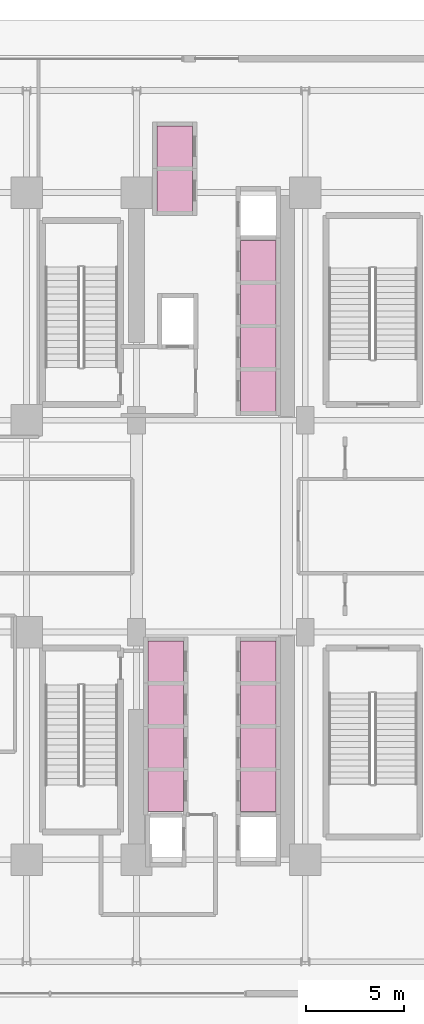
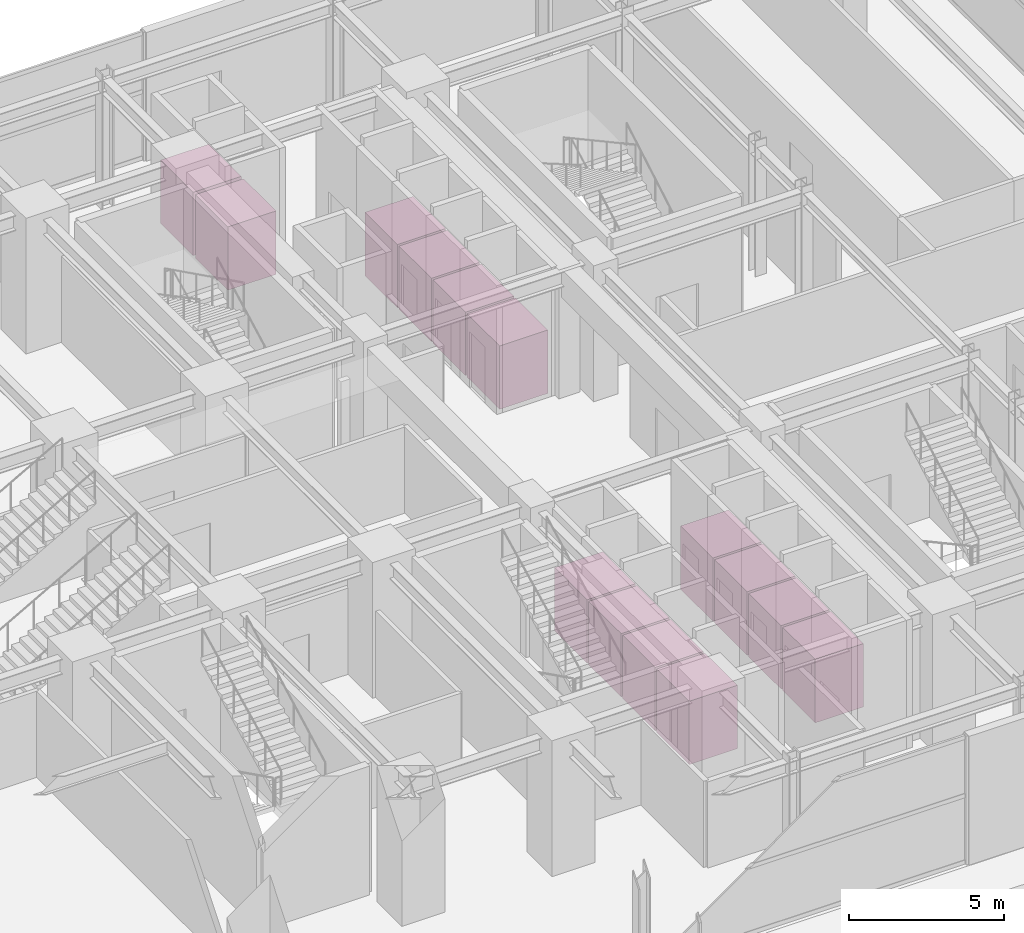
# One storey, part 29 of 29: 14 transport elements.
"""IFC4 building model written with IfcOpenShell, lengths in metres."""

from ifc_helpers import new_model, si_unit, direction, frame, origin, origin_2d, place, context, subcontext, project, spatial, rectangle, extrude, source, transform, mapped, material, type_object, element, save


model = new_model("IFC4")

# Units and contexts
model_context = context("Model", 3, precision=1e-05, world=origin(), true_north=direction((0.0, 1.0)))
body_context = subcontext(model_context, "Body", "Model", "MODEL_VIEW")
ifc_project = project(units=[si_unit("LENGTHUNIT", "METRE"), si_unit("AREAUNIT", "SQUARE_METRE"), si_unit("VOLUMEUNIT", "CUBIC_METRE"), si_unit("PLANEANGLEUNIT", "RADIAN"), si_unit("MASSUNIT", "GRAM", prefix="KILO")], contexts=[model_context])

# Site, building, storey
site_placement = place(None, origin())
site = spatial("IfcSite", under=ifc_project, at=site_placement, CompositionType="ELEMENT")
building_placement = place(site_placement, origin())
building = spatial("IfcBuilding", under=site, at=building_placement, Name="Nahalor Promenade Grand Hotel", CompositionType="ELEMENT")
storey_placement = place(building_placement, origin())
storey = spatial("IfcBuildingStorey", under=building, at=storey_placement, Name="L00", CompositionType="ELEMENT", Elevation=0.0)

# Transport elements
ifc_material = material(Name="Steel S355JR", Category="steel")
transport_element_type_1 = type_object("IfcTransportElementType", Name="Lift-Passenger-1600kg", PredefinedType="ELEVATOR", material=ifc_material)
shared_shape = source(origin(), body_context, "Body", "SweptSolid", [
    extrude(rectangle(XDim=1.800048828125, YDim=2.10009765625, at=origin_2d()), origin(), (0.0, 0.0, 1.0), 2.5),
])
for number, where, z_axis, x_axis, name in (
    (1, (14.60009765625, 6.89990234375, 0.0), (0.0, 0.0, 1.0), (1.0, 0.0, 0.0), "Elevator Car PL1"),
    (2, (14.60009765625, 9.10009765625, 0.0), (0.0, 0.0, 1.0), (1.0, 0.0, 0.0), "Elevator Car PL2"),
    (3, (14.60009765625, 11.300048828125, 0.0), (0.0, 0.0, 1.0), (1.0, 0.0, 0.0), "Elevator Car PL3"),
    (4, (14.60009765625, 13.5, 0.0), (0.0, 0.0, 1.0), (1.0, 0.0, 0.0), "Elevator Car PL4"),
    (5, (14.60009765625, -6.89990234375, 0.0), (0.0, 0.0, 1.0), (1.0, 0.0, 0.0), "Elevator Car PL5"),
    (6, (14.60009765625, -9.10009765625, 0.0), (0.0, 0.0, 1.0), (1.0, 0.0, 0.0), "Elevator Car PL6"),
    (7, (14.60009765625, -11.300048828125, 0.0), (0.0, 0.0, 1.0), (1.0, 0.0, 0.0), "Elevator Car PL7"),
    (8, (14.60009765625, -13.5, 0.0), (0.0, 0.0, 1.0), (1.0, 0.0, 0.0), "Elevator Car PL8"),
    (9, (9.89990234375, -6.89990234375, 0.0), (0.0, 0.0, 1.0), (1.0, 0.0, 0.0), "Elevator Car PL9"),
    (10, (9.89990234375, -9.10009765625, 0.0), (0.0, 0.0, 1.0), (1.0, 0.0, 0.0), "Elevator Car PL10"),
    (11, (9.89990234375, -11.300048828125, 0.0), (0.0, 0.0, 1.0), (1.0, 0.0, 0.0), "Elevator Car PL11"),
    (12, (9.89990234375, -13.5, 0.0), (0.0, 0.0, 1.0), (1.0, 0.0, 0.0), "Elevator Car PL12"),
):
    element("IfcTransportElement", number, at=place(storey_placement, frame(where, z_axis=z_axis, x_axis=x_axis)), inside=storey, type_object=transport_element_type_1, Name=name, PredefinedType="ELEVATOR", context=body_context, shape_type="MappedRepresentation", body=[
        mapped(shared_shape, transform((0.0, 0.0, 0.0), scale=1.0)),
    ])
transport_element_type_2 = type_object("IfcTransportElementType", Name="Lift-ObsShuttle-1800kg", PredefinedType="ELEVATOR", material=ifc_material)
for number, where, z_axis, x_axis, name in (
    (13, (10.35009765625, 17.10009765625, 0.0), (0.0, 0.0, 1.0), (1.0, 0.0, 0.0), "Elevator Car OB1"),
    (14, (10.35009765625, 19.35009765625, 0.0), (0.0, 0.0, 1.0), (1.0, 0.0, 0.0), "Elevator Car OB2"),
):
    element("IfcTransportElement", number, at=place(storey_placement, frame(where, z_axis=z_axis, x_axis=x_axis)), inside=storey, type_object=transport_element_type_2, Name=name, PredefinedType="ELEVATOR", context=body_context, shape_type="MappedRepresentation", body=[
        mapped(shared_shape, transform((0.0, 0.0, 0.0), scale=1.0)),
    ])

save(model, "model.ifc")
